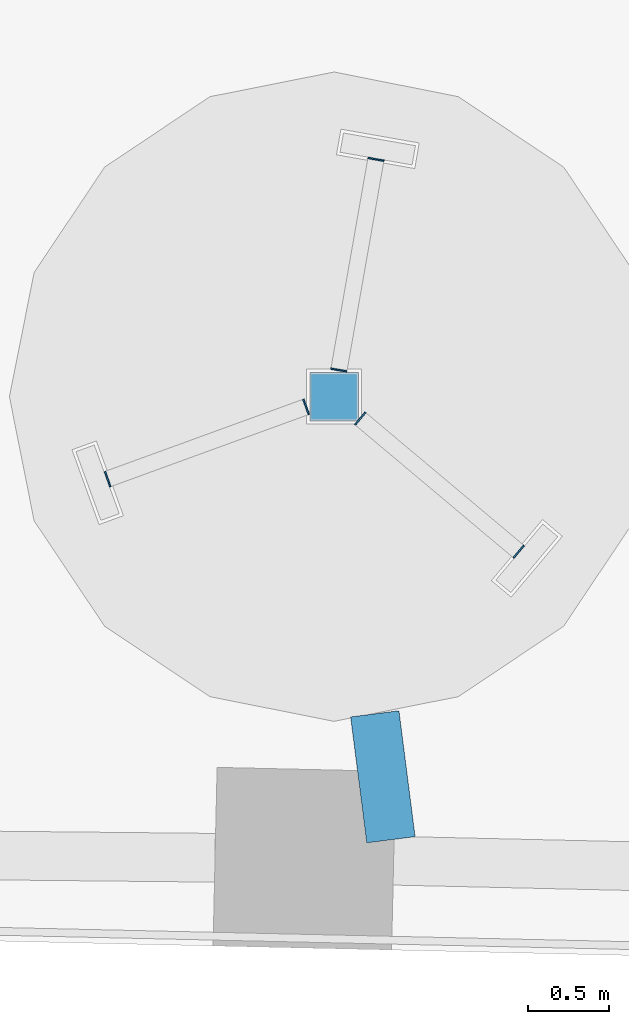
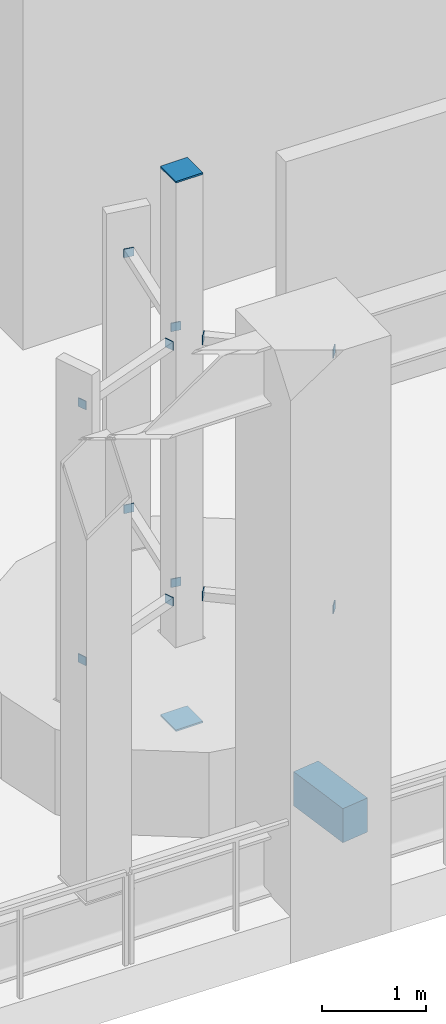
# One storey, part 12 of 33: 15 discrete accessories.
"""IFC4 building model written with IfcOpenShell, lengths in metres."""

from ifc_helpers import new_model, si_unit, direction, frame, origin, origin_2d, place, context, subcontext, project, spatial, rectangle, extrude, material, layer, layer_set, type_object, element, save


model = new_model("IFC4")

# Units and contexts
model_context = context("Model", 3, precision=1e-05, world=origin(), true_north=direction((0.0, 1.0)))
body_context = subcontext(model_context, "Body", "Model", "MODEL_VIEW")
ifc_project = project(units=[si_unit("LENGTHUNIT", "METRE"), si_unit("AREAUNIT", "SQUARE_METRE"), si_unit("VOLUMEUNIT", "CUBIC_METRE"), si_unit("PLANEANGLEUNIT", "RADIAN"), si_unit("MASSUNIT", "GRAM", prefix="KILO")], contexts=[model_context])

# Site, building, storey
site_placement = place(None, origin())
site = spatial("IfcSite", under=ifc_project, at=site_placement, CompositionType="ELEMENT")
building_placement = place(site_placement, origin())
building = spatial("IfcBuilding", under=site, at=building_placement, Name="Mangrove Gate Tower", CompositionType="ELEMENT")
storey_placement = place(building_placement, frame((0.0, 0.0, 219.5)))
storey = spatial("IfcBuildingStorey", under=building, at=storey_placement, Name="L56", CompositionType="ELEMENT", Elevation=219.5)

# Discrete accessories
ifc_material_1 = material(Name="Steel S355J2H", Category="steel")
ifc_layer_1 = layer(ifc_material_1, 0.010009765625)
ifc_layer_set_1 = layer_set([ifc_layer_1], Name="Arm end plate 100x100x10")
discrete_accessory_type_1 = type_object("IfcDiscreteAccessoryType", Name="Arm end plate 100x100x10", PredefinedType="ANCHORPLATE", material=ifc_layer_set_1)
for number, where, z_axis, x_axis, name in (
    (1, (-16.343017578125, -17.555908203125, 1.449951171875), (0.0, 0.0, 1.0), (0.173648177667, 0.984807753012, 0.0), "END PLATE ARM L56 5.1.1 MAST"),
    (2, (-16.114013671875, -16.258056640625, 1.449951171875), (0.0, 0.0, 1.0), (0.173648177667, 0.984807753012, 0.0), "END PLATE ARM L56 5.1.1 FIN"),
    (3, (-16.343017578125, -17.555908203125, 4.449951171875), (0.0, 0.0, 1.0), (0.173648177667, 0.984807753012, 0.0), "END PLATE ARM L56 5.1.2 MAST"),
    (4, (-16.114013671875, -16.258056640625, 4.449951171875), (0.0, 0.0, 1.0), (0.173648177667, 0.984807753012, 0.0), "END PLATE ARM L56 5.1.2 FIN"),
    (5, (-16.544921875, -17.782958984375, 1.449951171875), (0.0, 0.0, 1.0), (-0.939692620786, -0.342020143326, 0.0), "END PLATE ARM L56 5.2.1 MAST"),
    (6, (-17.76708984375, -18.22802734375, 1.449951171875), (0.0, 0.0, 1.0), (-0.939692620786, -0.342020143326, 0.0), "END PLATE ARM L56 5.2.1 FIN"),
    (7, (-16.544921875, -17.782958984375, 4.449951171875), (0.0, 0.0, 1.0), (-0.939692620786, -0.342020143326, 0.0), "END PLATE ARM L56 5.2.2 MAST"),
    (8, (-17.76708984375, -18.22802734375, 4.449951171875), (0.0, 0.0, 1.0), (-0.939692620786, -0.342020143326, 0.0), "END PLATE ARM L56 5.2.2 FIN"),
    (9, (-16.2109375, -17.85498046875, 1.449951171875), (0.0, 0.0, 1.0), (0.766044443119, -0.642787609687, 0.0), "END PLATE ARM L56 5.3.1 MAST"),
    (10, (-15.23388671875, -18.675048828125, 1.449951171875), (0.0, 0.0, 1.0), (0.766044443119, -0.642787609687, 0.0), "END PLATE ARM L56 5.3.1 FIN"),
    (11, (-16.2109375, -17.85498046875, 4.449951171875), (0.0, 0.0, 1.0), (0.766044443119, -0.642787609687, 0.0), "END PLATE ARM L56 5.3.2 MAST"),
    (12, (-15.23388671875, -18.675048828125, 4.449951171875), (0.0, 0.0, 1.0), (0.766044443119, -0.642787609687, 0.0), "END PLATE ARM L56 5.3.2 FIN"),
):
    element("IfcDiscreteAccessory", number, at=place(storey_placement, frame(where, z_axis=z_axis, x_axis=x_axis)), inside=storey, type_object=discrete_accessory_type_1, Name=name, PredefinedType="ANCHORPLATE", context=body_context, shape_type="SweptSolid", body=[
        extrude(rectangle(XDim=0.010009765625, YDim=0.10009765625, at=origin_2d()), origin(), (0.0, 0.0, 1.0), 0.10009765625),
    ])
ifc_material_2 = material(Name="Steel S355J2H", Category="steel")
ifc_layer_2 = layer(ifc_material_2, 0.02001953125)
ifc_layer_set_2 = layer_set([ifc_layer_2], Name="Mast end plate 300x300x20")
discrete_accessory_type_2 = type_object("IfcDiscreteAccessoryType", Name="Mast end plate 300x300x20", PredefinedType="ANCHORPLATE", material=ifc_layer_set_2)
for number, where, z_axis, x_axis, name in (
    (13, (-16.3720703125, -17.719970703125, 0.0), (0.0, 0.0, 1.0), (1.0, 0.0, 0.0), "END PLATE MAST L56 5 FOOT"),
    (14, (-16.3720703125, -17.719970703125, 6.429931640625), (0.0, 0.0, 1.0), (1.0, 0.0, 0.0), "END PLATE MAST L56 5 HEAD"),
):
    element("IfcDiscreteAccessory", number, at=place(storey_placement, frame(where, z_axis=z_axis, x_axis=x_axis)), inside=storey, type_object=discrete_accessory_type_2, Name=name, PredefinedType="ANCHORPLATE", context=body_context, shape_type="SweptSolid", body=[
        extrude(rectangle(XDim=0.300048828125, YDim=0.300048828125, at=origin_2d()), origin(), (0.0, 0.0, 1.0), 0.02001953125),
    ])
ifc_material_3 = material(Name="Steel S355J2", Category="steel")
ifc_layer_3 = layer(ifc_material_3, 0.39990234375)
ifc_layer_set_3 = layer_set([ifc_layer_3], Name="Turbine bracket")
discrete_accessory_type_3 = type_object("IfcDiscreteAccessoryType", Name="Turbine bracket", PredefinedType="BRACKET", material=ifc_layer_set_3)
discrete_accessory_placement = place(storey_placement, frame((-16.07177734375, -20.061767578125, 0.150146484375), z_axis=(0.0, 0.0, 1.0), x_axis=(-0.12711301231, 0.991888240732, 0.0)))
element("IfcDiscreteAccessory", 15, at=discrete_accessory_placement, inside=storey, type_object=discrete_accessory_type_3, Name="Turbine bracket GEN-L56-S5", PredefinedType="BRACKET", context=body_context, shape_type="SweptSolid", body=[
    extrude(rectangle(XDim=0.781982421875, YDim=0.300048828125, at=origin_2d()), origin(), (0.0, 0.0, 1.0), 0.39990234375),
])

save(model, "model.ifc")
